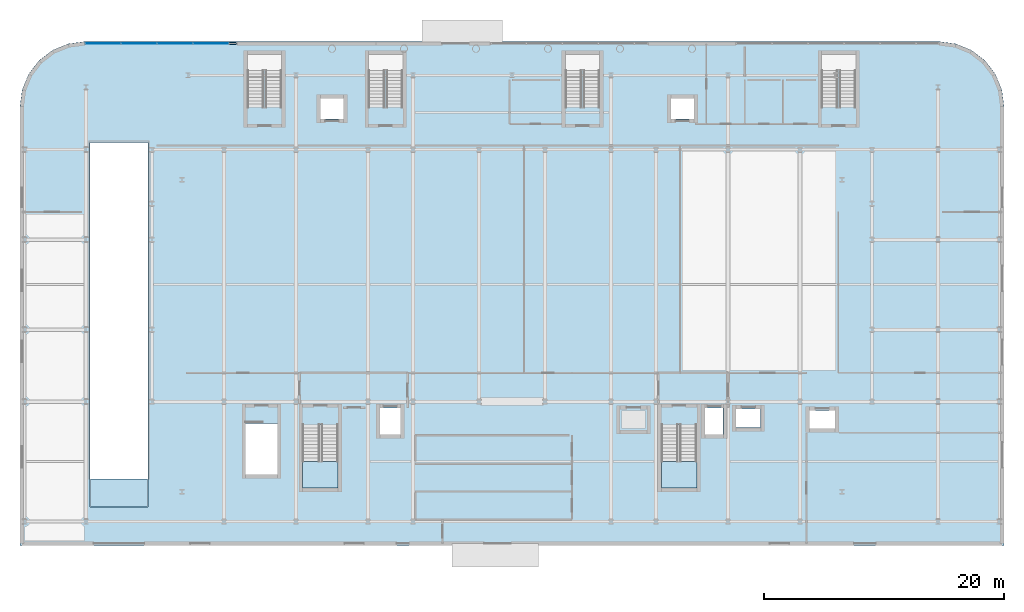
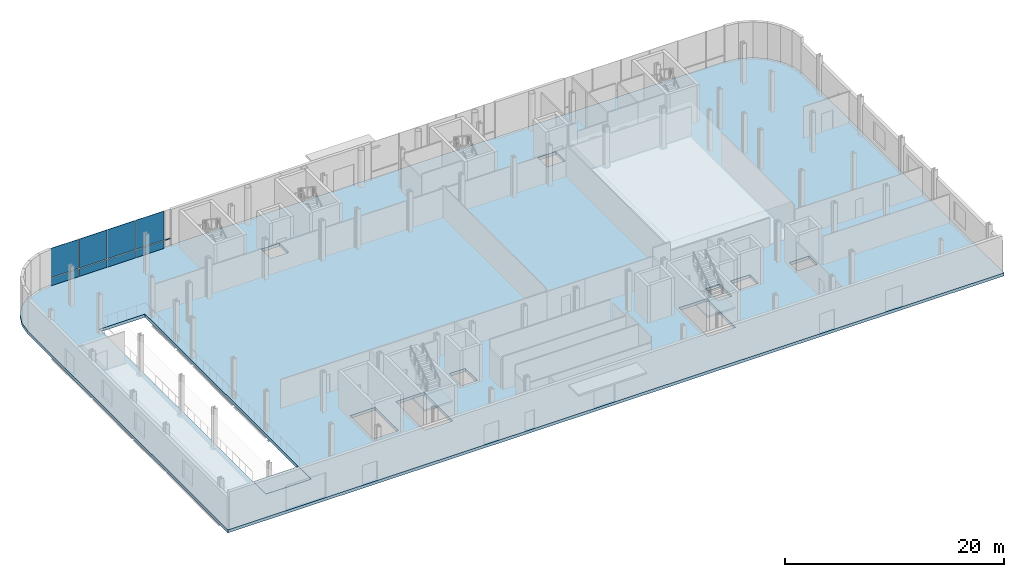
# One storey, part 14 of 28: 8 plates, 4 slabs, 1 member, 3 elements without a shape of their own.
"""IFC4 building model written with IfcOpenShell, lengths in metres."""

from ifc_helpers import new_model, si_unit, direction, frame, origin, origin_2d, place, context, subcontext, project, spatial, polyline, rectangle, hollow_rectangle, outline, extrude, material, layer, layer_set, material_profile, profile_set, type_object, element, aggregate, save


model = new_model("IFC4")

# Units and contexts
model_context = context("Model", 3, precision=1e-05, world=origin(), true_north=direction((0.0, 1.0)))
body_context = subcontext(model_context, "Body", "Model", "MODEL_VIEW")
ifc_project = project(units=[si_unit("LENGTHUNIT", "METRE"), si_unit("AREAUNIT", "SQUARE_METRE"), si_unit("VOLUMEUNIT", "CUBIC_METRE"), si_unit("PLANEANGLEUNIT", "RADIAN"), si_unit("MASSUNIT", "GRAM", prefix="KILO")], contexts=[model_context])

# Site, building, storey
site_placement = place(None, origin())
site = spatial("IfcSite", under=ifc_project, at=site_placement, CompositionType="ELEMENT")
building_placement = place(site_placement, origin())
building = spatial("IfcBuilding", under=site, at=building_placement, Name="Brevholm Reach", CompositionType="ELEMENT")
storey_placement = place(building_placement, origin())
storey = spatial("IfcBuildingStorey", under=building, at=storey_placement, Name="L00", CompositionType="ELEMENT", Elevation=0.0)

# Curtain wall, member, plates
ifc_material_1 = material(Name="Dark Anodised Aluminium 6063-T6 and Solar-Control Glass", Category="aluminium")
ifc_layer_1 = layer(ifc_material_1, 0.1650390625)
ifc_layer_set_1 = layer_set([ifc_layer_1], Name="Dark Anodised Aluminium 6063-T6 and Solar-Control Glass")
curtain_wall_type = type_object("IfcCurtainWallType", Name="CW-03", PredefinedType="NOTDEFINED", material=ifc_layer_set_1)
curtain_wall_placement = place(storey_placement, origin())
curtain_wall = element("IfcCurtainWall", 1, at=curtain_wall_placement, inside=storey, type_object=curtain_wall_type, Name="L00 Curtain Wall CW-03", PredefinedType="NOTDEFINED")
ifc_material_2 = material(Name="Dark Anodised Aluminium 6063-T6", Category="aluminium")
ifc_material_profile = material_profile(ifc_material_2, hollow_rectangle(XDim=0.070068359375, YDim=0.1650390625, WallThickness=0.0048828125, InnerFilletRadius=0.0048828125, OuterFilletRadius=0.010009765625, at=origin_2d()), Name="RHS 165x70x5")
ifc_profile_set = profile_set([ifc_material_profile], Name="Dark Anodised Aluminium 6063-T6")
member_type = type_object("IfcMemberType", Name="CWT-165", PredefinedType="NOTDEFINED", material=ifc_profile_set)
member_placement = place(storey_placement, frame((6.43505859375, 39.830078125, 0.89990234375), z_axis=(1.0, 0.0, 0.0), x_axis=(0.0, 0.0, 1.0)))
member = element("IfcMember", 2, at=member_placement, type_object=member_type, Name="CT-165 Transom 5.1", ObjectType="TRANSOM", PredefinedType="USERDEFINED", context=body_context, shape_type="SweptSolid", body=[
    extrude(hollow_rectangle(XDim=0.070068359375, YDim=0.1650390625, WallThickness=0.0048828125, InnerFilletRadius=0.0048828125, OuterFilletRadius=0.010009765625, at=origin_2d()), origin(), (0.0, 0.0, 1.0), 0.594970703125),
])
ifc_material_3 = material(Name="Triple-Glazed Acoustic School IGU Glass", Category="glass")
ifc_layer_2 = layer(ifc_material_3, 0.0439453125)
ifc_layer_set_2 = layer_set([ifc_layer_2], Name="Triple-Glazed Acoustic School IGU Glass")
plate_type = type_object("IfcPlateType", Name="CWP-ACU-44", PredefinedType="CURTAIN_PANEL", material=ifc_layer_set_2)
plate_1_placement = place(storey_placement, frame((-4.08251953125, 39.830078125, 0.0), z_axis=(0.0, 0.0, 1.0), x_axis=(1.0, 0.0, 0.0)))
plate_1 = element("IfcPlate", 3, at=plate_1_placement, type_object=plate_type, Name="CP-03 Glazing Panel 1.1", PredefinedType="CURTAIN_PANEL", context=body_context, shape_type="SweptSolid", body=[
    extrude(rectangle(XDim=2.89501953125, YDim=0.0439453125, at=origin_2d()), origin(), (0.0, 0.0, 1.0), 0.864990234375),
])
plate_2_placement = place(storey_placement, frame((-4.08251953125, 39.830078125, 0.93505859375), z_axis=(0.0, 0.0, 1.0), x_axis=(1.0, 0.0, 0.0)))
plate_2 = element("IfcPlate", 4, at=plate_2_placement, type_object=plate_type, Name="CP-03 Glazing Panel 1.2", PredefinedType="CURTAIN_PANEL", context=body_context, shape_type="SweptSolid", body=[
    extrude(rectangle(XDim=2.89501953125, YDim=0.0439453125, at=origin_2d()), origin(), (0.0, 0.0, 1.0), 3.2451171875),
])
plate_3_placement = place(storey_placement, frame((-1.10009765625, 39.830078125, 0.0), z_axis=(0.0, 0.0, 1.0), x_axis=(1.0, 0.0, 0.0)))
plate_3 = element("IfcPlate", 5, at=plate_3_placement, type_object=plate_type, Name="CP-03 Glazing Panel 2.1", PredefinedType="CURTAIN_PANEL", context=body_context, shape_type="SweptSolid", body=[
    extrude(rectangle(XDim=2.929931640625, YDim=0.0439453125, at=origin_2d()), origin(), (0.0, 0.0, 1.0), 0.864990234375),
])
plate_4_placement = place(storey_placement, frame((-1.10009765625, 39.830078125, 0.93505859375), z_axis=(0.0, 0.0, 1.0), x_axis=(1.0, 0.0, 0.0)))
plate_4 = element("IfcPlate", 6, at=plate_4_placement, type_object=plate_type, Name="CP-03 Glazing Panel 2.2", PredefinedType="CURTAIN_PANEL", context=body_context, shape_type="SweptSolid", body=[
    extrude(rectangle(XDim=2.929931640625, YDim=0.0439453125, at=origin_2d()), origin(), (0.0, 0.0, 1.0), 3.2451171875),
])
plate_5_placement = place(storey_placement, frame((1.89990234375, 39.830078125, 0.0), z_axis=(0.0, 0.0, 1.0), x_axis=(1.0, 0.0, 0.0)))
plate_5 = element("IfcPlate", 7, at=plate_5_placement, type_object=plate_type, Name="CP-03 Glazing Panel 3.1", PredefinedType="CURTAIN_PANEL", context=body_context, shape_type="SweptSolid", body=[
    extrude(rectangle(XDim=2.929931640625, YDim=0.0439453125, at=origin_2d()), origin(), (0.0, 0.0, 1.0), 0.864990234375),
])
plate_6_placement = place(storey_placement, frame((1.89990234375, 39.830078125, 0.93505859375), z_axis=(0.0, 0.0, 1.0), x_axis=(1.0, 0.0, 0.0)))
plate_6 = element("IfcPlate", 8, at=plate_6_placement, type_object=plate_type, Name="CP-03 Glazing Panel 3.2", PredefinedType="CURTAIN_PANEL", context=body_context, shape_type="SweptSolid", body=[
    extrude(rectangle(XDim=2.929931640625, YDim=0.0439453125, at=origin_2d()), origin(), (0.0, 0.0, 1.0), 3.2451171875),
])
plate_7_placement = place(storey_placement, frame((4.89990234375, 39.830078125, 0.0), z_axis=(0.0, 0.0, 1.0), x_axis=(1.0, 0.0, 0.0)))
plate_7 = element("IfcPlate", 9, at=plate_7_placement, type_object=plate_type, Name="CP-03 Glazing Panel 4.1", PredefinedType="CURTAIN_PANEL", context=body_context, shape_type="SweptSolid", body=[
    extrude(rectangle(XDim=2.929931640625, YDim=0.0439453125, at=origin_2d()), origin(), (0.0, 0.0, 1.0), 0.864990234375),
])
plate_8_placement = place(storey_placement, frame((4.89990234375, 39.830078125, 0.93505859375), z_axis=(0.0, 0.0, 1.0), x_axis=(1.0, 0.0, 0.0)))
plate_8 = element("IfcPlate", 10, at=plate_8_placement, type_object=plate_type, Name="CP-03 Glazing Panel 4.2", PredefinedType="CURTAIN_PANEL", context=body_context, shape_type="SweptSolid", body=[
    extrude(rectangle(XDim=2.929931640625, YDim=0.0439453125, at=origin_2d()), origin(), (0.0, 0.0, 1.0), 3.2451171875),
])
aggregate(curtain_wall, [plate_1, plate_2, plate_3, plate_4, plate_5, plate_6, plate_7, plate_8, member])

# Slabs
ifc_material_4 = material(Name="Concrete C40/50", Category="concrete")
ifc_layer_3 = layer(ifc_material_4, 0.320068359375)
ifc_layer_set_3 = layer_set([ifc_layer_3], Name="Concrete C40/50")
slab_type_1 = type_object("IfcSlabType", Name="SLB-FL-320", PredefinedType="FLOOR", material=ifc_layer_set_3)
slab_1_placement = place(storey_placement, frame((0.0, 0.0, -0.320068359375)))
element("IfcSlab", 11, at=slab_1_placement, inside=storey, type_object=slab_type_1, Name="L00 Car Park Vehicle Ramp Arrival Transition Slab", PredefinedType="FLOOR", context=body_context, shape_type="SweptSolid", body=[
    extrude(outline(polyline([(-5.1298828125, 1.219970703125), (-0.3701171875, 1.219970703125), (-0.3701171875, 3.530029296875), (-5.1298828125, 3.530029296875), (-5.1298828125, 1.219970703125)])), origin(), (0.0, 0.0, 1.0), 0.320068359375),
])
ifc_material_5 = material(Name="Concrete C50/60", Category="concrete")
ifc_layer_4 = layer(ifc_material_5, 0.340087890625)
ifc_layer_set_4 = layer_set([ifc_layer_4], Name="Concrete C50/60")
slab_type_2 = type_object("IfcSlabType", Name="SLB-FL-340", PredefinedType="FLOOR", material=ifc_layer_set_4)
slab_2_placement = place(storey_placement, frame((0.0, 0.0, -0.340087890625)))
element("IfcSlab", 12, at=slab_2_placement, inside=storey, type_object=slab_type_2, Name="L00 Suspended Floor Slab (main)", PredefinedType="FLOOR", context=body_context, shape_type="SweptSolid", body=[
    extrude(outline(polyline([(-11.0, -2.0), (71.0, -2.0), (71.0, 34.60009765625), (70.81591796875, 35.99755859375), (70.276611328125, 37.300048828125), (69.41845703125, 38.41845703125), (68.300048828125, 39.276611328125), (66.99755859375, 39.81591796875), (65.60009765625, 40.0), (-5.60009765625, 40.0), (-6.99755859375, 39.81591796875), (-8.300048828125, 39.276611328125), (-9.41845703125, 38.41845703125), (-10.276611328125, 37.300048828125), (-10.81591796875, 35.99755859375), (-11.0, 34.60009765625), (-11.0, -2.0)]), holes=[polyline([(-5.14990234375, 1.199951171875), (-0.35009765625, 1.199951171875), (-0.35009765625, 31.60009765625), (-5.14990234375, 31.60009765625), (-5.14990234375, 1.199951171875)]), polyline([(12.550048828125, 2.780029296875), (15.5, 2.780029296875), (15.5, 8.044921875), (12.550048828125, 8.044921875), (12.550048828125, 2.780029296875)]), polyline([(42.449951171875, 2.780029296875), (45.39990234375, 2.780029296875), (45.39990234375, 8.044921875), (42.449951171875, 8.044921875), (42.449951171875, 2.780029296875)]), polyline([(7.800048828125, 3.919921875), (10.449951171875, 3.919921875), (10.449951171875, 8.195068359375), (7.800048828125, 8.195068359375), (7.800048828125, 3.919921875)]), polyline([(19.0, 7.25), (20.699951171875, 7.25), (20.699951171875, 9.449951171875), (19.0, 9.449951171875), (19.0, 7.25)]), polyline([(46.10009765625, 7.25), (47.60009765625, 7.25), (47.60009765625, 9.449951171875), (46.10009765625, 9.449951171875), (46.10009765625, 7.25)]), polyline([(48.675048828125, 7.824951171875), (50.72509765625, 7.824951171875), (50.72509765625, 9.375), (48.675048828125, 9.375), (48.675048828125, 7.824951171875)]), polyline([(54.800048828125, 7.75), (56.89990234375, 7.75), (56.89990234375, 9.25), (54.800048828125, 9.25), (54.800048828125, 7.75)]), polyline([(14.050048828125, 33.550048828125), (15.949951171875, 33.550048828125), (15.949951171875, 35.25), (14.050048828125, 35.25), (14.050048828125, 33.550048828125)]), polyline([(43.25, 33.550048828125), (45.14990234375, 33.550048828125), (45.14990234375, 35.25), (43.25, 35.25), (43.25, 33.550048828125)])]), origin(), (0.0, 0.0, 1.0), 0.340087890625),
])

# Stair, slab
ifc_material_6 = material(Name="Precast Concrete C40/50", Category="concrete")
stair_type = type_object("IfcStairType", Name="STR-ESC-1400", PredefinedType="DOUBLE_RETURN_STAIR", material=ifc_material_6)
stair_1_placement = place(storey_placement, origin())
stair_1 = element("IfcStair", 13, at=stair_1_placement, inside=storey, type_object=stair_type, Name="L00 ST-1", PredefinedType="DOUBLE_RETURN_STAIR")
ifc_material_7 = material(Name="Concrete C40/50", Category="concrete")
ifc_layer_5 = layer(ifc_material_7, 0.199951171875)
ifc_layer_set_5 = layer_set([ifc_layer_5], Name="Concrete C40/50")
slab_type_3 = type_object("IfcSlabType", Name="SLB-LND-200", PredefinedType="LANDING", material=ifc_layer_set_5)
slab_3_placement = place(storey_placement, frame((0.0, 0.0, 2.050048828125)))
slab_3 = element("IfcSlab", 14, at=slab_3_placement, type_object=slab_type_3, Name="ST-1 landing 1", PredefinedType="LANDING", context=body_context, shape_type="SweptSolid", body=[
    extrude(outline(polyline([(12.550048828125, 5.02001953125), (12.550048828125, 2.780029296875), (15.5, 2.780029296875), (15.5, 5.02001953125), (12.550048828125, 5.02001953125)])), origin(), (0.0, 0.0, 1.0), 0.199951171875),
])
aggregate(stair_1, [slab_3])

stair_2_placement = place(storey_placement, origin())
stair_2 = element("IfcStair", 15, at=stair_2_placement, inside=storey, type_object=stair_type, Name="L00 ST-2", PredefinedType="DOUBLE_RETURN_STAIR")
slab_4_placement = place(storey_placement, frame((0.0, 0.0, 2.050048828125)))
slab_4 = element("IfcSlab", 16, at=slab_4_placement, type_object=slab_type_3, Name="ST-2 landing 1", PredefinedType="LANDING", context=body_context, shape_type="SweptSolid", body=[
    extrude(outline(polyline([(42.449951171875, 5.02001953125), (42.449951171875, 2.780029296875), (45.39990234375, 2.780029296875), (45.39990234375, 5.02001953125), (42.449951171875, 5.02001953125)])), origin(), (0.0, 0.0, 1.0), 0.199951171875),
])
aggregate(stair_2, [slab_4])

save(model, "model.ifc")
